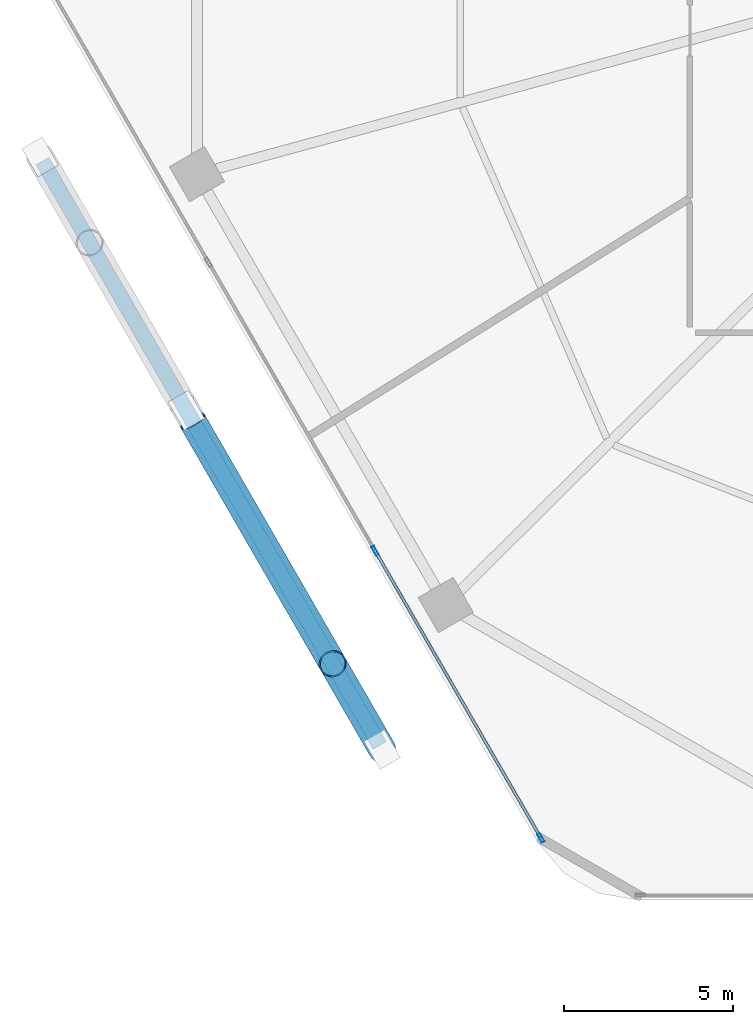
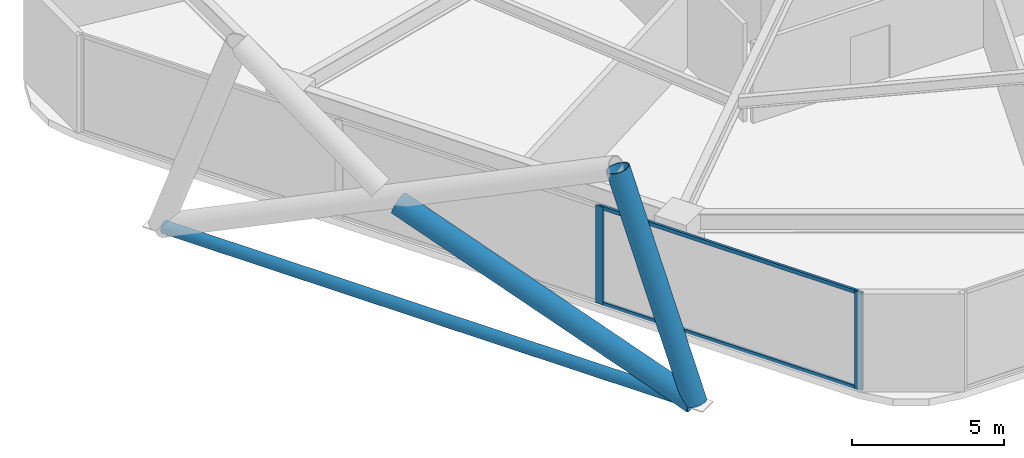
# One storey, part 2 of 28: 7 members, 1 element without a shape of its own.
"""IFC4 building model written with IfcOpenShell, lengths in metres."""

from ifc_helpers import new_model, si_unit, direction, frame, origin, origin_2d, place, context, subcontext, project, spatial, hollow_rectangle, hollow_circle, extrude, material, material_profile, profile_set, type_object, element, aggregate, save


model = new_model("IFC4")

# Units and contexts
model_context = context("Model", 3, precision=1e-05, world=origin(), true_north=direction((0.0, 1.0)))
body_context = subcontext(model_context, "Body", "Model", "MODEL_VIEW")
ifc_project = project(units=[si_unit("LENGTHUNIT", "METRE"), si_unit("AREAUNIT", "SQUARE_METRE"), si_unit("VOLUMEUNIT", "CUBIC_METRE"), si_unit("PLANEANGLEUNIT", "RADIAN"), si_unit("MASSUNIT", "GRAM", prefix="KILO")], contexts=[model_context])

# Site, building, storey
site_placement = place(None, origin())
site = spatial("IfcSite", under=ifc_project, at=site_placement, CompositionType="ELEMENT")
building_placement = place(site_placement, origin())
building = spatial("IfcBuilding", under=site, at=building_placement, Name="Zuhravey Tower", CompositionType="ELEMENT")
storey_placement = place(building_placement, frame((0.0, 0.0, 24.60009765625)))
storey = spatial("IfcBuildingStorey", under=building, at=storey_placement, Name="L06", CompositionType="ELEMENT", Elevation=24.60009765625)

# Curtain wall, members
ifc_material_1 = material(Name="Thermally broken anodised aluminium", Category="aluminium")
curtain_wall_type = type_object("IfcCurtainWallType", Name="School Low-E Unitised Curtain Wall CW1", PredefinedType="NOTDEFINED", material=ifc_material_1)
curtain_wall_placement = place(storey_placement, origin())
curtain_wall = element("IfcCurtainWall", 1, at=curtain_wall_placement, inside=storey, type_object=curtain_wall_type, Name="L06 CW1 CW-L06-F4-1", PredefinedType="NOTDEFINED")
ifc_material_2 = material(Name="Anodised aluminium", Category="aluminium")
ifc_material_profile_1 = material_profile(ifc_material_2, hollow_rectangle(XDim=0.090087890625, YDim=0.284912109375, WallThickness=0.0048828125, at=origin_2d()), Name="ALU-RHS-90x285x5")
ifc_profile_set_1 = profile_set([ifc_material_profile_1], Name="Anodised aluminium")
member_type_1 = type_object("IfcMemberType", Name="Curtain-Wall Mullion 90x180", PredefinedType="MULLION", material=ifc_profile_set_1)
member_1_placement = place(storey_placement, frame((18.298583984375, 4.742919921875, 0.0), z_axis=(0.0, 0.0, 1.0), x_axis=(-0.86602552265, -0.499999794119, 0.0)))
member_1 = element("IfcMember", 2, at=member_1_placement, type_object=member_type_1, Name="CW1 mullion 1", PredefinedType="MULLION", context=body_context, shape_type="SweptSolid", body=[
    extrude(hollow_rectangle(XDim=0.090087890625, YDim=0.284912109375, WallThickness=0.0048828125, at=origin_2d()), origin(), (0.0, 0.0, 1.0), 3.919921875),
])
member_2_placement = place(storey_placement, frame((13.387939453125, 13.24853515625, 0.0), z_axis=(0.0, 0.0, 1.0), x_axis=(-0.86602552265, -0.499999794119, 0.0)))
member_2 = element("IfcMember", 3, at=member_2_placement, type_object=member_type_1, Name="CW1 mullion 2", PredefinedType="MULLION", context=body_context, shape_type="SweptSolid", body=[
    extrude(hollow_rectangle(XDim=0.090087890625, YDim=0.284912109375, WallThickness=0.0048828125, at=origin_2d()), origin(), (0.0, 0.0, 1.0), 3.919921875),
])
ifc_material_profile_2 = material_profile(ifc_material_2, hollow_rectangle(XDim=0.090087890625, YDim=0.14990234375, WallThickness=0.0048828125, at=origin_2d()), Name="ALU-RHS-90x150x5")
ifc_profile_set_2 = profile_set([ifc_material_profile_2], Name="Anodised aluminium")
member_type_2 = type_object("IfcMemberType", Name="Curtain-Wall Transom 90x150", PredefinedType="USERDEFINED", material=ifc_profile_set_2)
member_3_placement = place(storey_placement, frame((18.27587890625, 4.781982421875, 0.044921875), z_axis=(-0.499989576763, 0.86603142156, 0.0), x_axis=(-0.86603142156, -0.499989576763, 0.0)))
member_3 = element("IfcMember", 4, at=member_3_placement, type_object=member_type_2, Name="CW1 transom 1.1", ObjectType="TRANSOM", PredefinedType="USERDEFINED", context=body_context, shape_type="SweptSolid", body=[
    extrude(hollow_rectangle(XDim=0.090087890625, YDim=0.14990234375, WallThickness=0.0048828125, at=origin_2d()), origin(), (0.0, 0.0, 1.0), 9.731201171875),
])
member_4_placement = place(storey_placement, frame((18.27587890625, 4.781982421875, 3.875), z_axis=(-0.499989576763, 0.86603142156, 0.0), x_axis=(-0.86603142156, -0.499989576763, 0.0)))
member_4 = element("IfcMember", 5, at=member_4_placement, type_object=member_type_2, Name="CW1 transom 1.2", ObjectType="TRANSOM", PredefinedType="USERDEFINED", context=body_context, shape_type="SweptSolid", body=[
    extrude(hollow_rectangle(XDim=0.090087890625, YDim=0.14990234375, WallThickness=0.0048828125, at=origin_2d()), origin(), (0.0, 0.0, 1.0), 9.731201171875),
])
aggregate(curtain_wall, [member_1, member_2, member_3, member_4])

# Members
ifc_material_3 = material(Name="Steel SM355", Category="steel")
ifc_material_profile_3 = material_profile(ifc_material_3, hollow_circle(Radius=0.228515625, WallThickness=0.02197265625, at=origin_2d()), Name="CHS-457.2x22")
ifc_profile_set_3 = profile_set([ifc_material_profile_3], Name="Steel SM355")
member_type_3 = type_object("IfcMemberType", Name="Exoskeleton Ring Tie CHS457x22", PredefinedType="CHORD", material=ifc_profile_set_3)
member_5_placement = place(storey_placement, frame((3.53271484375, 24.79833984375, -0.494140625), z_axis=(0.499987058157, -0.866032875632, 0.0), x_axis=(0.866032875632, 0.499987058157, 0.0)))
element("IfcMember", 6, at=member_5_placement, inside=storey, type_object=member_type_3, Name="L06 Exoskeleton Face 4 Tie EXR1", PredefinedType="CHORD", context=body_context, shape_type="SweptSolid", body=[
    extrude(hollow_circle(Radius=0.228515625, WallThickness=0.02197265625, at=origin_2d()), origin(), (0.0, 0.0, 1.0), 19.99365234375),
])
ifc_material_4 = material(Name="Steel SM460", Category="steel")
ifc_material_profile_4 = material_profile(ifc_material_4, hollow_circle(Radius=0.406494140625, WallThickness=0.035888671875, at=origin_2d()), Name="CHS-812.8x36")
ifc_profile_set_4 = profile_set([ifc_material_profile_4], Name="Steel SM460")
member_type_4 = type_object("IfcMemberType", Name="Exoskeleton Zone 1 Diagrid CHS813x36", PredefinedType="BRACE", material=ifc_profile_set_4)
member_6_placement = place(storey_placement, frame((13.595458984375, 7.36865234375, -0.47216796875), z_axis=(-0.165307317227, 0.286358046605, 0.943754501984), x_axis=(-0.866053660865, -0.499951054106, 0.0)))
element("IfcMember", 7, at=member_6_placement, inside=storey, type_object=member_type_4, Name="L06 Face 4 Diagrid Brace 4", PredefinedType="BRACE", context=body_context, shape_type="SweptSolid", body=[
    extrude(hollow_circle(Radius=0.406494140625, WallThickness=0.035888671875, at=origin_2d()), origin(), (0.0, 0.0, 1.0), 8.85400390625),
])
member_7_placement = place(storey_placement, frame((13.57568359375, 7.403076171875, -0.47705078125), z_axis=(-0.470165522703, 0.814361240323, 0.340235435427), x_axis=(-0.866028239721, -0.499995087982, 0.0)))
element("IfcMember", 8, at=member_7_placement, inside=storey, type_object=member_type_4, Name="L06 Face 4 Split Diagrid Brace 3A", PredefinedType="BRACE", context=body_context, shape_type="SweptSolid", body=[
    extrude(hollow_circle(Radius=0.406494140625, WallThickness=0.035888671875, at=origin_2d()), origin(), (0.0, 0.0, 1.0), 11.89794921875),
])

save(model, "model.ifc")
